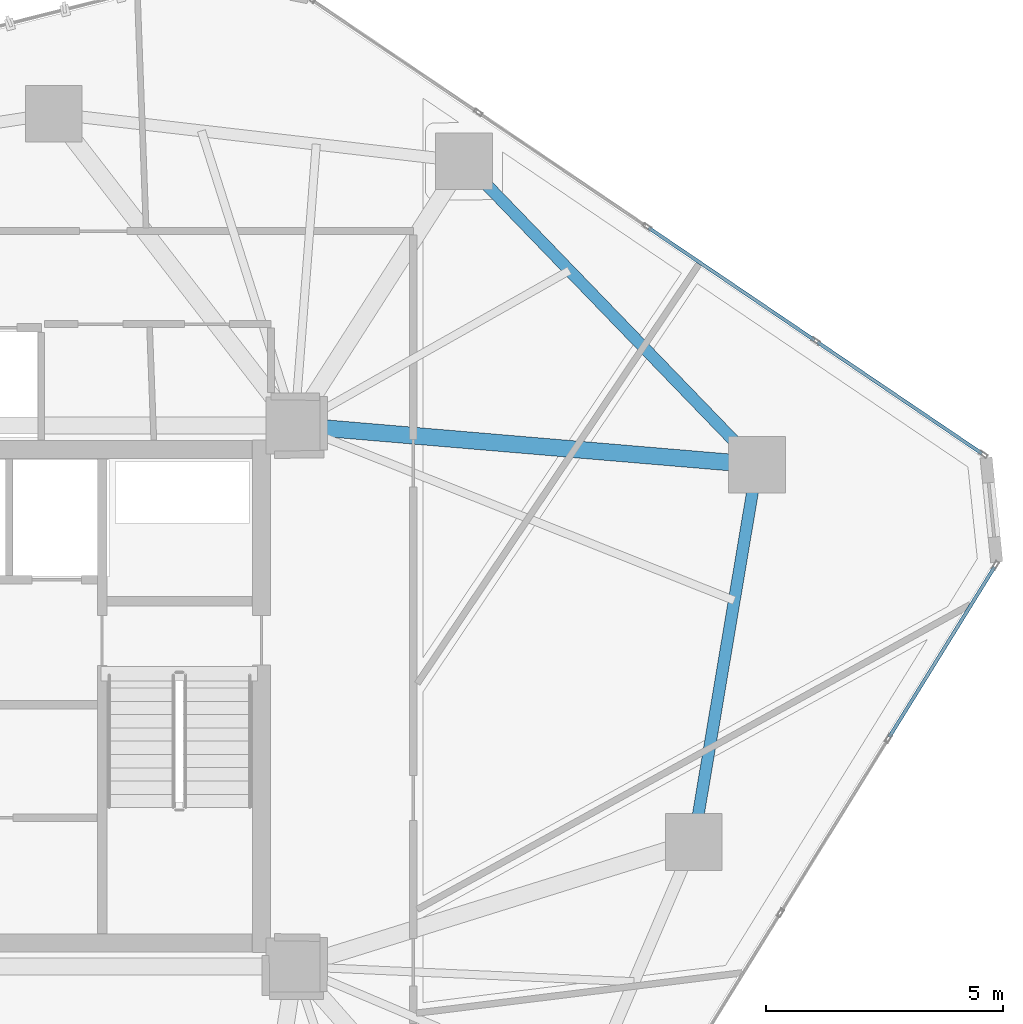
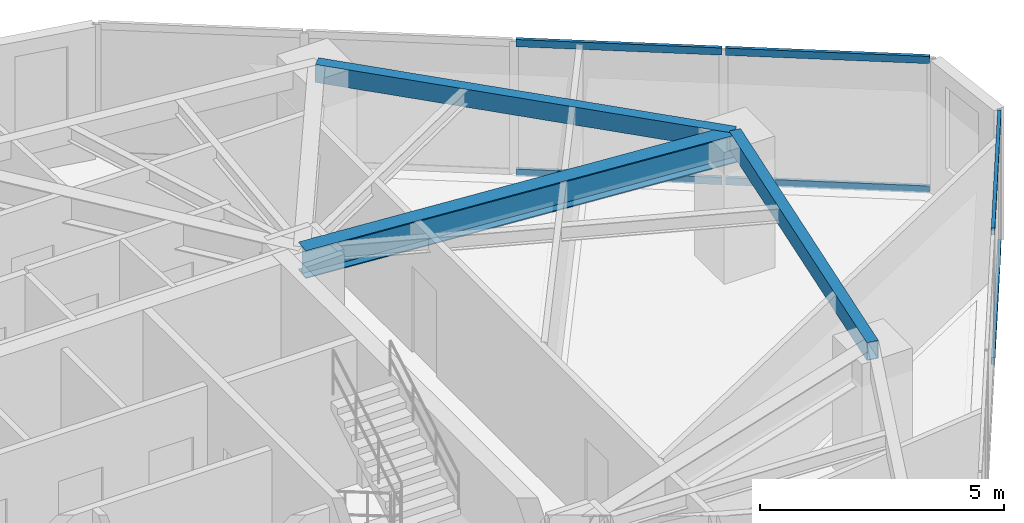
# One storey, part 11 of 20: 6 members, 3 beams, 2 elements without a shape of their own.
"""IFC4 building model written with IfcOpenShell, lengths in metres."""

from ifc_helpers import new_model, si_unit, direction, frame, origin, origin_2d, place, context, subcontext, project, spatial, hollow_rectangle, i_section, extrude, source, transform, mapped, material, layer, layer_set, material_profile, profile_set, type_object, type_shapes, element, aggregate, save


model = new_model("IFC4")

# Units and contexts
model_context = context("Model", 3, precision=1e-05, world=origin(), true_north=direction((0.0, 1.0)))
body_context = subcontext(model_context, "Body", "Model", "MODEL_VIEW")
ifc_project = project(units=[si_unit("LENGTHUNIT", "METRE"), si_unit("AREAUNIT", "SQUARE_METRE"), si_unit("VOLUMEUNIT", "CUBIC_METRE"), si_unit("PLANEANGLEUNIT", "RADIAN"), si_unit("MASSUNIT", "GRAM", prefix="KILO")], contexts=[model_context])

# Site, building, storey
site_placement = place(None, origin())
site = spatial("IfcSite", under=ifc_project, at=site_placement, CompositionType="ELEMENT")
building_placement = place(site_placement, origin())
building = spatial("IfcBuilding", under=site, at=building_placement, Name="Talar Marvaseh", CompositionType="ELEMENT")
storey_placement = place(building_placement, frame((0.0, 0.0, 132.60009765625)))
storey = spatial("IfcBuildingStorey", under=building, at=storey_placement, Name="L34", CompositionType="ELEMENT", Elevation=132.60009765625)

# Beams
ifc_material_1 = material(Name="Steel S355", Category="steel")
ifc_material_profile_1 = material_profile(ifc_material_1, hollow_rectangle(XDim=0.25, YDim=0.449951171875, WallThickness=0.01611328125, at=origin_2d()), Name="RHS450x250x16")
ifc_profile_set_1 = profile_set([ifc_material_profile_1], Name="Steel S355")
beam_type_1 = type_object("IfcBeamType", Name="Zone 2 Perimeter Spandrel Beam RHS450x250x16", PredefinedType="SPANDREL", material=ifc_profile_set_1)
beam_1_placement = place(storey_placement, frame((36.865966796875, 42.470947265625, 3.0849609375), z_axis=(0.694796856243, -0.719206040405, 0.0), x_axis=(0.719206040405, 0.694796856243, 0.0)))
element("IfcBeam", 1, at=beam_1_placement, inside=storey, type_object=beam_type_1, Name="L34 Zone 2 Perimeter Spandrel Beam RHS450x250x16", PredefinedType="SPANDREL", context=body_context, shape_type="SweptSolid", body=[
    extrude(hollow_rectangle(XDim=0.25, YDim=0.449951171875, WallThickness=0.01611328125, at=origin_2d()), origin(), (0.0, 0.0, 1.0), 8.891845703125),
])
beam_2_placement = place(storey_placement, frame((43.0439453125, 36.075927734375, 3.0849609375), z_axis=(-0.165641685249, -0.986186002795, 0.0), x_axis=(0.986186002795, -0.165641685249, 0.0)))
element("IfcBeam", 2, at=beam_2_placement, inside=storey, type_object=beam_type_1, Name="L34 Zone 2 Perimeter Spandrel Beam RHS450x250x16", PredefinedType="SPANDREL", context=body_context, shape_type="SweptSolid", body=[
    extrude(hollow_rectangle(XDim=0.25, YDim=0.449951171875, WallThickness=0.01611328125, at=origin_2d()), origin(), (0.0, 0.0, 1.0), 8.059326171875),
])
ifc_material_profile_2 = material_profile(ifc_material_1, i_section(OverallWidth=0.35498046875, OverallDepth=0.695068359375, WebThickness=0.015380859375, FlangeThickness=0.02490234375, at=origin_2d()), Name="W690x217")
ifc_profile_set_2 = profile_set([ifc_material_profile_2], Name="Steel S355")
beam_type_2 = type_object("IfcBeamType", Name="Zone 2 Radial Floor Girder W690x217", PredefinedType="BEAM", material=ifc_profile_set_2)
beam_3_placement = place(storey_placement, frame((43.0439453125, 36.075927734375, 2.96240234375), z_axis=(-0.996443598923, 0.084262412527, 0.0), x_axis=(-0.084262412527, -0.996443598923, 0.0)))
element("IfcBeam", 3, at=beam_3_placement, inside=storey, type_object=beam_type_2, Name="L34 Zone 2 Radial Floor Girder W690x217", PredefinedType="BEAM", context=body_context, shape_type="SweptSolid", body=[
    extrude(i_section(OverallWidth=0.35498046875, OverallDepth=0.695068359375, WebThickness=0.015380859375, FlangeThickness=0.02490234375, at=origin_2d()), origin(), (0.0, 0.0, 1.0), 9.778564453125),
])

# Curtain wall, members
ifc_material_2 = material(Name="Architectural Aluminium", Category="aluminium")
ifc_layer = layer(ifc_material_2, 0.199951171875)
ifc_layer_set = layer_set([ifc_layer], Name="Architectural Aluminium")
curtain_wall_type = type_object("IfcCurtainWallType", Name="Unitised Acoustic Library Curtain Wall Z2", PredefinedType="NOTDEFINED", material=ifc_layer_set)
curtain_wall_1_placement = place(storey_placement, origin())
curtain_wall_1 = element("IfcCurtainWall", 4, at=curtain_wall_1_placement, inside=storey, type_object=curtain_wall_type, Name="L34 Unitised Acoustic Library Curtain Wall Z2", PredefinedType="NOTDEFINED")
ifc_material_profile_3 = material_profile(ifc_material_2, hollow_rectangle(XDim=0.074951171875, YDim=0.179931640625, WallThickness=0.0048828125, at=origin_2d()), Name="RHS180x75x5")
ifc_profile_set_3 = profile_set([ifc_material_profile_3], Name="Architectural Aluminium")
member_type = type_object("IfcMemberType", Name="Unitised Curtain Wall Transom RHS180x75x5", PredefinedType="USERDEFINED", material=ifc_profile_set_3)
shared_shape_1 = source(origin(), body_context, "Body", "SweptSolid", [
    extrude(hollow_rectangle(XDim=0.074951171875, YDim=0.179931640625, WallThickness=0.0048828125, at=origin_2d()), origin(), (0.0, 0.0, 1.0), 4.185302734375),
])
member_1_placement = place(storey_placement, frame((44.315673828125, 38.658203125, 0.037353515625), z_axis=(0.828071561032, -0.560622412868, 0.0), x_axis=(0.560622412868, 0.828071561032, 0.0)))
member_1 = element("IfcMember", 5, at=member_1_placement, type_object=member_type, Name="CW-Z2 transom 4.1", ObjectType="TRANSOM", PredefinedType="USERDEFINED", context=body_context, shape_type="MappedRepresentation", body=[
    mapped(shared_shape_1, transform((0.0, 0.0, 0.0), x_axis=(1.0, 0.0, 0.0), y_axis=(0.0, 1.0, 0.0), z_axis=(0.0, 0.0, 1.0), scale=1.0)),
])
member_2_placement = place(storey_placement, frame((44.315673828125, 38.658203125, 3.2724609375), z_axis=(0.828071561032, -0.560622412868, 0.0), x_axis=(0.560622412868, 0.828071561032, 0.0)))
member_2 = element("IfcMember", 6, at=member_2_placement, type_object=member_type, Name="CW-Z2 transom 4.2", ObjectType="TRANSOM", PredefinedType="USERDEFINED", context=body_context, shape_type="MappedRepresentation", body=[
    mapped(shared_shape_1, transform((0.0, 0.0, 0.0), x_axis=(1.0, 0.0, 0.0), y_axis=(0.0, 1.0, 0.0), z_axis=(0.0, 0.0, 1.0), scale=1.0)),
])
shared_shape_2 = source(origin(), body_context, "Body", "SweptSolid", [
    extrude(hollow_rectangle(XDim=0.074951171875, YDim=0.179931640625, WallThickness=0.0048828125, at=origin_2d()), origin(), (0.0, 0.0, 1.0), 4.222900390625),
])
member_3_placement = place(storey_placement, frame((40.756591796875, 41.0673828125, 0.037353515625), z_axis=(0.828116078227, -0.560556652785, 0.0), x_axis=(0.560556652785, 0.828116078227, 0.0)))
member_3 = element("IfcMember", 7, at=member_3_placement, type_object=member_type, Name="CW-Z2 transom 3.1", ObjectType="TRANSOM", PredefinedType="USERDEFINED", context=body_context, shape_type="MappedRepresentation", body=[
    mapped(shared_shape_2, transform((0.0, 0.0, 0.0), x_axis=(1.0, 0.0, 0.0), y_axis=(0.0, 1.0, 0.0), z_axis=(0.0, 0.0, 1.0), scale=1.0)),
])
member_4_placement = place(storey_placement, frame((40.756591796875, 41.0673828125, 3.2724609375), z_axis=(0.828116078227, -0.560556652785, 0.0), x_axis=(0.560556652785, 0.828116078227, 0.0)))
member_4 = element("IfcMember", 8, at=member_4_placement, type_object=member_type, Name="CW-Z2 transom 3.2", ObjectType="TRANSOM", PredefinedType="USERDEFINED", context=body_context, shape_type="MappedRepresentation", body=[
    mapped(shared_shape_2, transform((0.0, 0.0, 0.0), x_axis=(1.0, 0.0, 0.0), y_axis=(0.0, 1.0, 0.0), z_axis=(0.0, 0.0, 1.0), scale=1.0)),
])
aggregate(curtain_wall_1, [member_3, member_4, member_1, member_2])

curtain_wall_2_placement = place(storey_placement, origin())
curtain_wall_2 = element("IfcCurtainWall", 9, at=curtain_wall_2_placement, inside=storey, type_object=curtain_wall_type, Name="L34 Unitised Acoustic Library Curtain Wall Z2", PredefinedType="NOTDEFINED")
shared_shape_3 = source(origin(), body_context, "Body", "SweptSolid", [
    extrude(hollow_rectangle(XDim=0.074951171875, YDim=0.179931640625, WallThickness=0.0048828125, at=origin_2d()), origin(), (0.0, 0.0, 1.0), 4.211181640625),
])
type_shapes(member_type, [shared_shape_1, shared_shape_2, shared_shape_3])
member_5_placement = place(storey_placement, frame((48.046630859375, 33.919677734375, 0.037353515625), z_axis=(-0.526356610482, -0.850263911149, 0.0), x_axis=(0.850263911149, -0.526356610482, 0.0)))
member_5 = element("IfcMember", 10, at=member_5_placement, type_object=member_type, Name="CW-Z2 transom 1.1", ObjectType="TRANSOM", PredefinedType="USERDEFINED", context=body_context, shape_type="MappedRepresentation", body=[
    mapped(shared_shape_3, transform((0.0, 0.0, 0.0), x_axis=(1.0, 0.0, 0.0), y_axis=(0.0, 1.0, 0.0), z_axis=(0.0, 0.0, 1.0), scale=1.0)),
])
member_6_placement = place(storey_placement, frame((48.046630859375, 33.919677734375, 3.2724609375), z_axis=(-0.526356610482, -0.850263911149, 0.0), x_axis=(0.850263911149, -0.526356610482, 0.0)))
member_6 = element("IfcMember", 11, at=member_6_placement, type_object=member_type, Name="CW-Z2 transom 1.2", ObjectType="TRANSOM", PredefinedType="USERDEFINED", context=body_context, shape_type="MappedRepresentation", body=[
    mapped(shared_shape_3, transform((0.0, 0.0, 0.0), x_axis=(1.0, 0.0, 0.0), y_axis=(0.0, 1.0, 0.0), z_axis=(0.0, 0.0, 1.0), scale=1.0)),
])
aggregate(curtain_wall_2, [member_5, member_6])

save(model, "model.ifc")
